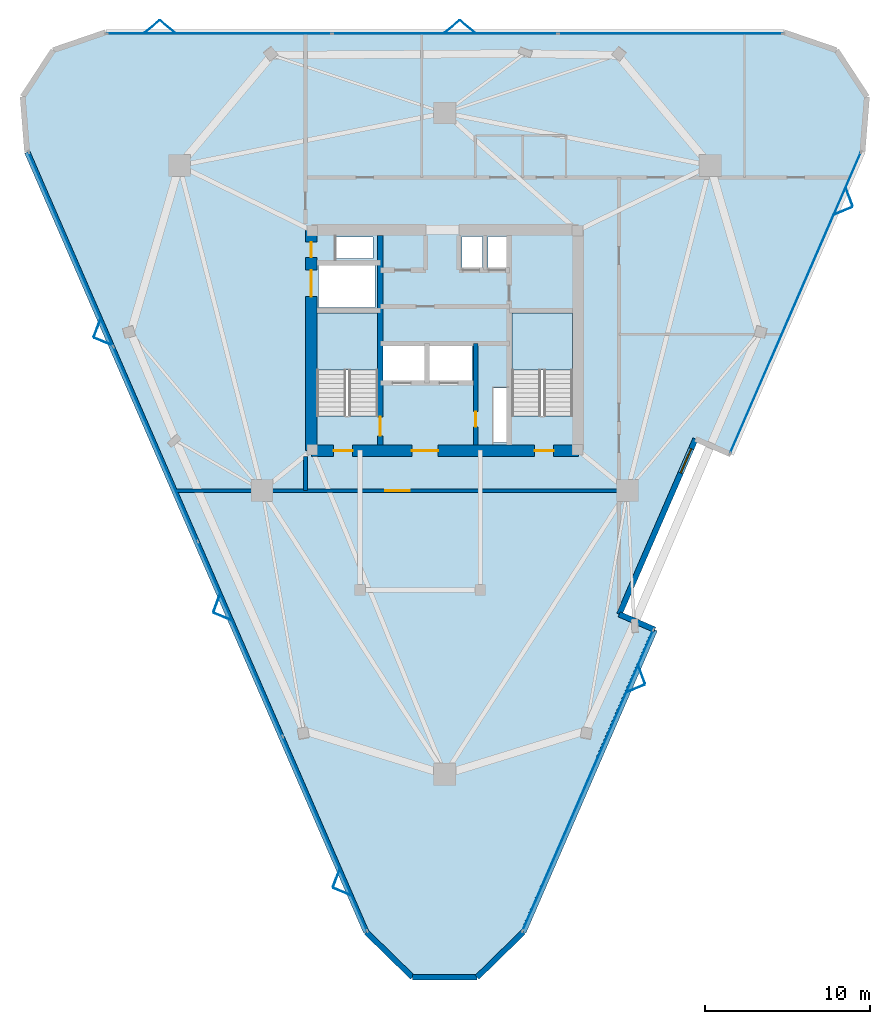
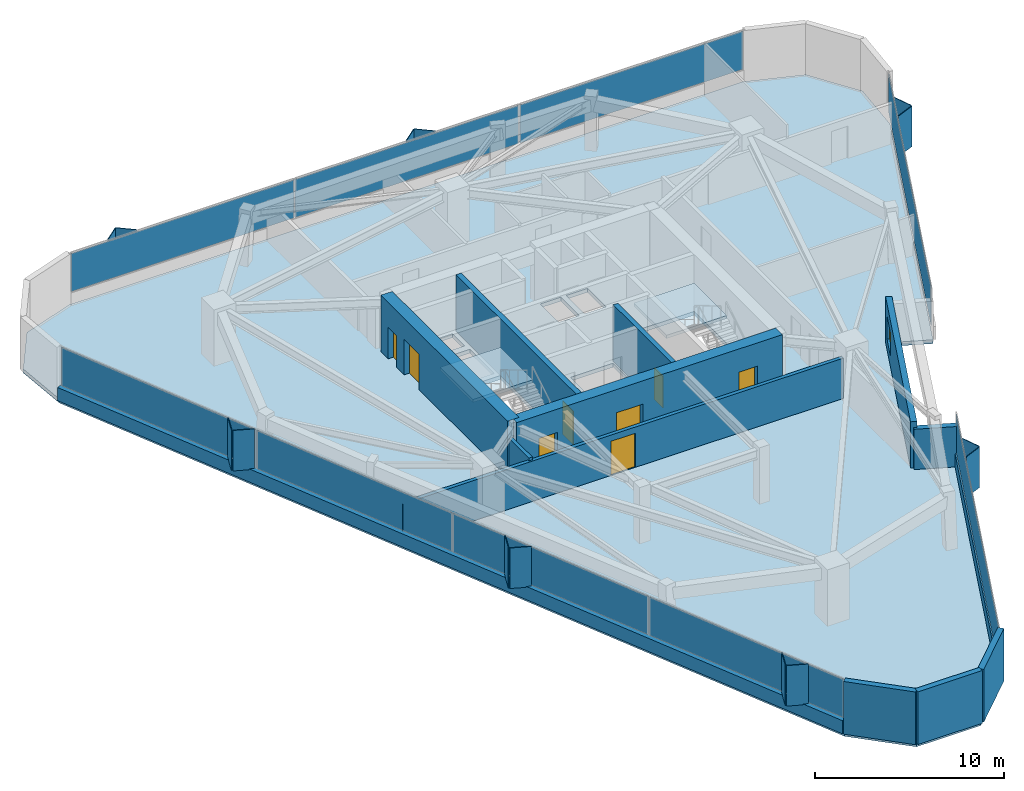
# One storey, part 6 of 9: 23 plates, 13 walls, 8 doors, 3 slabs, 1 window, 9 openings, 6 elements without a shape of their own.
"""IFC4 building model written with IfcOpenShell, lengths in metres."""

from ifc_helpers import new_model, si_unit, direction, frame, frame_2d, origin, origin_2d, place, context, subcontext, project, spatial, polyline, rectangle, outline, extrude, material, layer, layer_set, type_object, element, fill, aggregate, save


model = new_model("IFC4")

# Units and contexts
model_context = context("Model", 3, precision=1e-05, world=origin(), true_north=direction((0.0, 1.0)))
body_context = subcontext(model_context, "Body", "Model", "MODEL_VIEW")
ifc_project = project(units=[si_unit("LENGTHUNIT", "METRE"), si_unit("AREAUNIT", "SQUARE_METRE"), si_unit("VOLUMEUNIT", "CUBIC_METRE"), si_unit("PLANEANGLEUNIT", "RADIAN"), si_unit("MASSUNIT", "GRAM", prefix="KILO")], contexts=[model_context])

# Site, building, storey
site_placement = place(None, origin())
site = spatial("IfcSite", under=ifc_project, at=site_placement, CompositionType="ELEMENT")
building_placement = place(site_placement, origin())
building = spatial("IfcBuilding", under=site, at=building_placement, Name="Talyreon Biosciences Tower", CompositionType="ELEMENT")
storey_placement = place(building_placement, frame((0.0, 0.0, 208.60009765625)))
storey = spatial("IfcBuildingStorey", under=building, at=storey_placement, Name="L55", CompositionType="ELEMENT", Elevation=208.60009765625)

# Curtain wall, plates
ifc_material_1 = material(Name="Thermally broken aluminium and low-E glazing", Category="aluminium")
ifc_layer_1 = layer(ifc_material_1, 0.205078125)
ifc_layer_set_1 = layer_set([ifc_layer_1], Name="Thermally broken aluminium and low-E glazing")
curtain_wall_type = type_object("IfcCurtainWallType", Name="CurtainWall_SkyGardenLoggia", PredefinedType="NOTDEFINED", material=ifc_layer_set_1)
curtain_wall_1_placement = place(storey_placement, origin())
curtain_wall_1 = element("IfcCurtainWall", 1, at=curtain_wall_1_placement, inside=storey, type_object=curtain_wall_type, Name="L55 Unitised Curtain Wall FCW-L55-03", PredefinedType="NOTDEFINED")
ifc_material_2 = material(Name="Acoustic laminated low-E insulated glazing", Category="glass")
ifc_layer_2 = layer(ifc_material_2, 0.0380859375)
ifc_layer_set_2 = layer_set([ifc_layer_2], Name="Acoustic laminated low-E insulated glazing")
plate_type_1 = type_object("IfcPlateType", Name="CWGlazingPanel_38", PredefinedType="CURTAIN_PANEL", material=ifc_layer_set_2)
plate_1_placement = place(storey_placement, frame((52.30859375, 86.605224609375, 0.875), z_axis=(0.0, 0.0, 1.0), x_axis=(1.0, 0.0, 0.0)))
plate_1 = element("IfcPlate", 2, at=plate_1_placement, type_object=plate_type_1, Name="CW7 panel 1.1", PredefinedType="CURTAIN_PANEL", context=body_context, shape_type="SweptSolid", body=[
    extrude(rectangle(XDim=13.59765625, YDim=0.0380859375, at=origin_2d()), origin(), (0.0, 0.0, 1.0), 2.4599609375),
])
plate_2_placement = place(storey_placement, frame((66.0, 86.605224609375, 0.875), z_axis=(0.0, 0.0, 1.0), x_axis=(1.0, 0.0, 0.0)))
plate_2 = element("IfcPlate", 3, at=plate_2_placement, type_object=plate_type_1, Name="CW7 panel 2.1", PredefinedType="CURTAIN_PANEL", context=body_context, shape_type="SweptSolid", body=[
    extrude(rectangle(XDim=13.63525390625, YDim=0.0380859375, at=origin_2d()), origin(), (0.0, 0.0, 1.0), 2.4599609375),
])
plate_3_placement = place(storey_placement, frame((79.69140625, 86.605224609375, 0.875), z_axis=(0.0, 0.0, 1.0), x_axis=(1.0, 0.0, 0.0)))
plate_3 = element("IfcPlate", 4, at=plate_3_placement, type_object=plate_type_1, Name="CW7 panel 3.1", PredefinedType="CURTAIN_PANEL", context=body_context, shape_type="SweptSolid", body=[
    extrude(rectangle(XDim=13.59765625, YDim=0.0380859375, at=origin_2d()), origin(), (0.0, 0.0, 1.0), 2.4599609375),
])
aggregate(curtain_wall_1, [plate_1, plate_2, plate_3])

# Curtain wall, plate
curtain_wall_2_placement = place(storey_placement, origin())
curtain_wall_2 = element("IfcCurtainWall", 5, at=curtain_wall_2_placement, inside=storey, type_object=curtain_wall_type, Name="L55 Unitised Curtain Wall FCW-L55-07", PredefinedType="NOTDEFINED")
plate_4_placement = place(storey_placement, frame((87.275634765625, 70.275390625, 0.875), z_axis=(0.0, 0.0, 1.0), x_axis=(-0.398627540924, -0.91711290669, 0.0)))
plate_4 = element("IfcPlate", 6, at=plate_4_placement, type_object=plate_type_1, Name="CW7 panel 1.1", PredefinedType="CURTAIN_PANEL", context=body_context, shape_type="SweptSolid", body=[
    extrude(rectangle(XDim=19.845458984375, YDim=0.0380859375, at=origin_2d()), origin(), (0.0, 0.0, 1.0), 2.4599609375),
])
aggregate(curtain_wall_2, [plate_4])

curtain_wall_3_placement = place(storey_placement, origin())
curtain_wall_3 = element("IfcCurtainWall", 7, at=curtain_wall_3_placement, inside=storey, type_object=curtain_wall_type, Name="L55 Unitised Curtain Wall FCW-L55-11", PredefinedType="NOTDEFINED")
plate_5_placement = place(storey_placement, frame((74.680908203125, 41.298828125, 0.875), z_axis=(0.0, 0.0, 1.0), x_axis=(-0.3986251628, -0.917113940349, 0.0)))
plate_5 = element("IfcPlate", 8, at=plate_5_placement, type_object=plate_type_1, Name="CW7 panel 1.1", PredefinedType="CURTAIN_PANEL", context=body_context, shape_type="SweptSolid", body=[
    extrude(rectangle(XDim=19.84521484375, YDim=0.0380859375, at=origin_2d()), origin(), (0.0, 0.0, 1.0), 2.4599609375),
])
aggregate(curtain_wall_3, [plate_5])

# Curtain wall, plates
curtain_wall_4_placement = place(storey_placement, origin())
curtain_wall_4 = element("IfcCurtainWall", 9, at=curtain_wall_4_placement, inside=storey, type_object=curtain_wall_type, Name="L55 Unitised Curtain Wall FCW-L55-15", PredefinedType="NOTDEFINED")
plate_6_placement = place(storey_placement, frame((58.726318359375, 38.061279296875, 0.875), z_axis=(0.0, 0.0, 1.0), x_axis=(-0.398626314079, 0.917113439943, 0.0)))
plate_6 = element("IfcPlate", 10, at=plate_6_placement, type_object=plate_type_1, Name="CW7 panel 1.1", PredefinedType="CURTAIN_PANEL", context=body_context, shape_type="SweptSolid", body=[
    extrude(rectangle(XDim=12.78515625, YDim=0.0380859375, at=origin_2d()), origin(), (0.0, 0.0, 1.0), 2.4599609375),
])
plate_7_placement = place(storey_placement, frame((53.59228515625, 49.872802734375, 0.875), z_axis=(0.0, 0.0, 1.0), x_axis=(-0.398626314079, 0.917113439943, 0.0)))
plate_7 = element("IfcPlate", 11, at=plate_7_placement, type_object=plate_type_1, Name="CW7 panel 2.1", PredefinedType="CURTAIN_PANEL", context=body_context, shape_type="SweptSolid", body=[
    extrude(rectangle(XDim=12.82275390625, YDim=0.0380859375, at=origin_2d()), origin(), (0.0, 0.0, 1.0), 2.4599609375),
])
plate_8_placement = place(storey_placement, frame((48.450927734375, 61.701416015625, 0.875), z_axis=(0.0, 0.0, 1.0), x_axis=(-0.398626314079, 0.917113439943, 0.0)))
plate_8 = element("IfcPlate", 12, at=plate_8_placement, type_object=plate_type_1, Name="CW7 panel 3.1", PredefinedType="CURTAIN_PANEL", context=body_context, shape_type="SweptSolid", body=[
    extrude(rectangle(XDim=12.82275390625, YDim=0.0380859375, at=origin_2d()), origin(), (0.0, 0.0, 1.0), 2.4599609375),
])
plate_9_placement = place(storey_placement, frame((43.317138671875, 73.5126953125, 0.875), z_axis=(0.0, 0.0, 1.0), x_axis=(-0.398626314079, 0.917113439943, 0.0)))
plate_9 = element("IfcPlate", 13, at=plate_9_placement, type_object=plate_type_1, Name="CW7 panel 4.1", PredefinedType="CURTAIN_PANEL", context=body_context, shape_type="SweptSolid", body=[
    extrude(rectangle(XDim=12.78515625, YDim=0.0380859375, at=origin_2d()), origin(), (0.0, 0.0, 1.0), 2.4599609375),
])
aggregate(curtain_wall_4, [plate_6, plate_7, plate_8, plate_9])

# Slab
ifc_material_3 = material(Name="Concrete C40/50", Category="concrete")
ifc_layer_3 = layer(ifc_material_3, 0.25)
ifc_layer_set_3 = layer_set([ifc_layer_3], Name="Concrete C40/50")
slab_type_1 = type_object("IfcSlabType", Name="DryLabFloorSlab_250", PredefinedType="FLOOR", material=ifc_layer_set_3)
slab_1_placement = place(storey_placement, frame((0.0, 0.0, -0.25)))
element("IfcSlab", 14, at=slab_1_placement, inside=storey, type_object=slab_type_1, Name="L55 Structural Floor Slab", PredefinedType="FLOOR", context=body_context, shape_type="SweptSolid", body=[
    extrude(outline(polyline([(40.66552734375, 79.412353515625), (40.396484375, 82.77294921875), (42.245361328125, 85.59228515625), (45.4345703125, 86.685302734375), (86.5654296875, 86.685302734375), (89.754638671875, 85.59228515625), (91.603515625, 82.77294921875), (91.33447265625, 79.412353515625), (83.36376953125, 61.074462890625), (81.20849609375, 62.010986328125), (76.58447265625, 51.37255859375), (78.739501953125, 50.435791015625), (70.76904296875, 32.097900390625), (67.962158203125, 29.355224609375), (64.037841796875, 29.355224609375), (61.23095703125, 32.097900390625), (40.66552734375, 79.412353515625)]), holes=[polyline([(69.820068359375, 65.10009765625), (69.820068359375, 61.800048828125), (68.9599609375, 61.800048828125), (68.9599609375, 65.10009765625), (69.820068359375, 65.10009765625)]), polyline([(61.929931640625, 69.64990234375), (61.929931640625, 63.407958984375), (58.25, 63.407958984375), (58.25, 69.64990234375), (61.929931640625, 69.64990234375)]), polyline([(73.75, 69.64990234375), (73.75, 63.407958984375), (70.070068359375, 63.407958984375), (70.070068359375, 69.64990234375), (73.75, 69.64990234375)]), polyline([(64.800048828125, 67.64990234375), (64.800048828125, 65.550048828125), (62.199951171875, 65.550048828125), (62.199951171875, 67.64990234375), (64.800048828125, 67.64990234375)]), polyline([(67.64990234375, 67.64990234375), (67.64990234375, 65.550048828125), (65.050048828125, 65.550048828125), (65.050048828125, 67.64990234375), (67.64990234375, 67.64990234375)]), polyline([(61.75, 72.550048828125), (61.75, 69.97998046875), (58.35009765625, 69.97998046875), (58.35009765625, 72.550048828125), (61.75, 72.550048828125)]), polyline([(68.300048828125, 74.300048828125), (68.300048828125, 72.35009765625), (67.050048828125, 72.35009765625), (67.050048828125, 74.300048828125), (68.300048828125, 74.300048828125)]), polyline([(69.919921875, 72.35009765625), (68.6201171875, 72.35009765625), (68.6201171875, 74.300048828125), (69.919921875, 74.300048828125), (69.919921875, 72.35009765625)]), polyline([(61.64990234375, 72.9599609375), (59.39990234375, 72.9599609375), (59.39990234375, 74.25), (61.64990234375, 74.25), (61.64990234375, 72.9599609375)])]), origin(), (0.0, 0.0, 1.0), 0.25),
])

# Plates
ifc_material_4 = material(Name="Ivory GFRC sunshade panel", Category="concrete")
ifc_layer_4 = layer(ifc_material_4, 0.044921875)
ifc_layer_set_4 = layer_set([ifc_layer_4], Name="Ivory GFRC sunshade panel")
plate_type_2 = type_object("IfcPlateType", Name="FoldedVSunshade_NorthFace_SUNSHADE", PredefinedType="USERDEFINED", material=ifc_layer_set_4)
for number, where, z_axis, x_axis, name in (
    (15, (48.254638671875, 87.045166015625, 0.7900390625), (0.0, 0.0, 1.0), (0.771624583388, 0.636078220278, 0.0), "L55 Folded V-Sunshade Panel 03.01L"),
    (16, (49.154541015625, 87.045166015625, 0.7900390625), (0.0, 0.0, 1.0), (0.771624583388, -0.636078220278, 0.0), "L55 Folded V-Sunshade Panel 03.01R"),
    (17, (66.45458984375, 87.045166015625, 0.7900390625), (0.0, 0.0, 1.0), (0.771624583388, 0.636078220278, 0.0), "L55 Folded V-Sunshade Panel 03.02L"),
    (18, (67.3544921875, 87.045166015625, 0.7900390625), (0.0, 0.0, 1.0), (0.771624583388, -0.636078220278, 0.0), "L55 Folded V-Sunshade Panel 03.02R"),
):
    element("IfcPlate", number, at=place(storey_placement, frame(where, z_axis=z_axis, x_axis=x_axis)), inside=storey, type_object=plate_type_2, Name=name, ObjectType="SUNSHADE", PredefinedType="USERDEFINED", context=body_context, shape_type="SweptSolid", body=[
        extrude(rectangle(XDim=1.14990234375, YDim=0.044921875, at=origin_2d()), origin(), (0.0, 0.0, 1.0), 2.610107421875),
    ])
ifc_layer_5 = layer(ifc_material_4, 0.044921875)
ifc_layer_set_5 = layer_set([ifc_layer_5], Name="Ivory GFRC sunshade panel")
plate_type_3 = type_object("IfcPlateType", Name="FoldedVSunshade_SunFace_SUNSHADE", PredefinedType="USERDEFINED", material=ifc_layer_set_5)
for number, where, z_axis, x_axis, name in (
    (19, (90.540283203125, 76.6826171875, 0.7900390625), (0.0, 0.0, 1.0), (0.350338161955, -0.936623281943, 0.0), "L55 Folded V-Sunshade Panel 07.01L"),
    (20, (90.181640625, 75.857177734375, 0.7900390625), (0.0, 0.0, 1.0), (-0.923826090819, -0.382812426552, 0.0), "L55 Folded V-Sunshade Panel 07.01R"),
    (21, (77.945556640625, 47.7060546875, 0.7900390625), (0.0, 0.0, 1.0), (0.350338161955, -0.936623281943, 0.0), "L55 Folded V-Sunshade Panel 11.01L"),
    (22, (77.5869140625, 46.880615234375, 0.7900390625), (0.0, 0.0, 1.0), (-0.923826090819, -0.382812426552, 0.0), "L55 Folded V-Sunshade Panel 11.01R"),
    (23, (59.776611328125, 34.540771484375, 0.7900390625), (0.0, 0.0, 1.0), (-0.923826090819, 0.382812426552, 0.0), "L55 Folded V-Sunshade Panel 15.01L"),
    (24, (59.41796875, 35.3662109375, 0.7900390625), (0.0, 0.0, 1.0), (0.350338161955, 0.936623281943, 0.0), "L55 Folded V-Sunshade Panel 15.01R"),
    (25, (52.521728515625, 51.232177734375, 0.7900390625), (0.0, 0.0, 1.0), (-0.923826090819, 0.382812426552, 0.0), "L55 Folded V-Sunshade Panel 15.02L"),
    (26, (52.1630859375, 52.0576171875, 0.7900390625), (0.0, 0.0, 1.0), (0.350338161955, 0.936623281943, 0.0), "L55 Folded V-Sunshade Panel 15.02R"),
    (27, (45.2666015625, 67.923583984375, 0.7900390625), (0.0, 0.0, 1.0), (-0.923826090819, 0.382812426552, 0.0), "L55 Folded V-Sunshade Panel 15.03L"),
    (28, (44.907958984375, 68.7490234375, 0.7900390625), (0.0, 0.0, 1.0), (0.350338161955, 0.936623281943, 0.0), "L55 Folded V-Sunshade Panel 15.03R"),
):
    element("IfcPlate", number, at=place(storey_placement, frame(where, z_axis=z_axis, x_axis=x_axis)), inside=storey, type_object=plate_type_3, Name=name, ObjectType="SUNSHADE", PredefinedType="USERDEFINED", context=body_context, shape_type="SweptSolid", body=[
        extrude(rectangle(XDim=1.14990234375, YDim=0.044921875, at=origin_2d()), origin(), (0.0, 0.0, 1.0), 2.610107421875),
    ])

# Stair, slab
stair_type = type_object("IfcStairType", Name="DoglegEscapeStair_3650", PredefinedType="HALF_TURN_STAIR", material=ifc_material_3)
stair_1_placement = place(storey_placement, origin())
stair_1 = element("IfcStair", 29, at=stair_1_placement, inside=storey, type_object=stair_type, Name="L55 Core Escape Stair 1", PredefinedType="HALF_TURN_STAIR")
ifc_layer_6 = layer(ifc_material_3, 0.199951171875)
ifc_layer_set_6 = layer_set([ifc_layer_6], Name="Concrete C40/50")
slab_type_2 = type_object("IfcSlabType", Name="StairLandingSlab_200", PredefinedType="LANDING", material=ifc_layer_set_6)
slab_2_placement = place(storey_placement, frame((0.0, 0.0, 1.625)))
slab_2 = element("IfcSlab", 30, at=slab_2_placement, type_object=slab_type_2, Name="ST-1 landing 1", PredefinedType="LANDING", context=body_context, shape_type="SweptSolid", body=[
    extrude(outline(polyline([(61.929931640625, 66.199951171875), (61.929931640625, 69.64990234375), (58.25, 69.64990234375), (58.25, 66.199951171875), (61.929931640625, 66.199951171875)])), origin(), (0.0, 0.0, 1.0), 0.199951171875),
])
aggregate(stair_1, [slab_2])

stair_2_placement = place(storey_placement, origin())
stair_2 = element("IfcStair", 31, at=stair_2_placement, inside=storey, type_object=stair_type, Name="L55 Core Escape Stair 2", PredefinedType="HALF_TURN_STAIR")
slab_3_placement = place(storey_placement, frame((0.0, 0.0, 1.625)))
slab_3 = element("IfcSlab", 32, at=slab_3_placement, type_object=slab_type_2, Name="ST-2 landing 1", PredefinedType="LANDING", context=body_context, shape_type="SweptSolid", body=[
    extrude(outline(polyline([(73.75, 66.199951171875), (73.75, 69.64990234375), (70.070068359375, 69.64990234375), (70.070068359375, 66.199951171875), (73.75, 66.199951171875)])), origin(), (0.0, 0.0, 1.0), 0.199951171875),
])
aggregate(stair_2, [slab_3])

# Wall, opening, door
ifc_material_5 = material(Name="Concrete C50/60", Category="concrete")
ifc_layer_7 = layer(ifc_material_5, 0.280029296875)
ifc_layer_set_7 = layer_set([ifc_layer_7], Name="Concrete C50/60")
wall_type_1 = type_object("IfcWallType", Name="CoreShearWall_280", PredefinedType="SHEAR", material=ifc_layer_set_7)
wall_1_placement = place(storey_placement, frame((67.8798828125, 61.64990234375, 0.0), z_axis=(0.0, 0.0, 1.0), x_axis=(0.0, 1.0, 0.0)))
wall_1 = element("IfcWall", 33, at=wall_1_placement, inside=storey, type_object=wall_type_1, Name="L55 Core Shaft Wall SWFFE", PredefinedType="SHEAR", context=body_context, shape_type="SweptSolid", body=[
    extrude(rectangle(XDim=6.150146484375, YDim=0.280029296875, at=frame_2d((3.0751953125, 0.0))), origin(), (0.0, 0.0, 1.0), 3.64990234375),
])
opening_1_placement = place(wall_1_placement, frame((1.10009765625, 0.0, 0.0)))
opening_1 = element("IfcOpeningElement", 34, at=opening_1_placement, cuts=wall_1, Name="Opening DR-L55-RSE", PredefinedType="OPENING", context=body_context, shape_type="SweptSolid", body=[
    extrude(rectangle(XDim=0.919921875, YDim=2.050048828125, at=frame_2d((0.4599609375, 1.02490234375))), frame((0.0, 0.14990234375, 0.0), z_axis=(0.0, -1.0, 0.0), x_axis=(1.0, 0.0, 0.0)), (0.0, 0.0, 1.0), 0.300048828125),
])
ifc_material_6 = material(Name="Painted steel fire-rated riser door", Category="steel")
door_type_1 = type_object("IfcDoorType", Name="RiserPlantAccessDoor_920x2050", OperationType="NOTDEFINED", PredefinedType="DOOR", material=ifc_material_6)
door_1_placement = place(opening_1_placement, origin())
door_1 = element("IfcDoor", 35, at=door_1_placement, inside=storey, type_object=door_type_1, Name="L55 Core Door DR-L55-RSE", OperationType="SINGLE_SWING_RIGHT", OverallHeight=2.050048828125, OverallWidth=0.919921875, PredefinedType="DOOR", context=body_context, shape_type="SweptSolid", body=[
    extrude(rectangle(XDim=0.919921875, YDim=2.050048828125, at=frame_2d((0.4599609375, 1.02490234375))), frame((0.0, 0.02490234375, 0.0), z_axis=(0.0, -1.0, 0.0), x_axis=(1.0, 0.0, 0.0)), (0.0, 0.0, 1.0), 0.050048828125),
])
fill(opening_1, door_1)

ifc_layer_8 = layer(ifc_material_5, 0.320068359375)
ifc_layer_set_8 = layer_set([ifc_layer_8], Name="Concrete C50/60")
wall_type_2 = type_object("IfcWallType", Name="CoreShearWall_320", PredefinedType="SHEAR", material=ifc_layer_set_8)
wall_2_placement = place(storey_placement, frame((62.090087890625, 61.64990234375, 0.0), z_axis=(0.0, 0.0, 1.0), x_axis=(0.0, 1.0, 0.0)))
wall_2 = element("IfcWall", 36, at=wall_2_placement, inside=storey, type_object=wall_type_2, Name="L55 Core Shaft Wall SW1E", PredefinedType="SHEAR", context=body_context, shape_type="SweptSolid", body=[
    extrude(rectangle(XDim=12.7001953125, YDim=0.320068359375, at=frame_2d((6.35009765625, 0.0))), origin(), (0.0, 0.0, 1.0), 3.64990234375),
])
opening_2_placement = place(wall_2_placement, frame((0.550048828125, 0.0, 0.0)))
opening_2 = element("IfcOpeningElement", 37, at=opening_2_placement, cuts=wall_2, Name="Opening DR-L55-FF-ST1", PredefinedType="OPENING", context=body_context, shape_type="SweptSolid", body=[
    extrude(rectangle(XDim=1.14990234375, YDim=2.14990234375, at=frame_2d((0.574951171875, 1.074951171875))), frame((0.0, 0.169921875, 0.0), z_axis=(0.0, -1.0, 0.0), x_axis=(1.0, 0.0, 0.0)), (0.0, 0.0, 1.0), 0.340087890625),
])
ifc_material_7 = material(Name="Painted steel fire door", Category="steel")
door_type_2 = type_object("IfcDoorType", Name="StairShaftFireDoor_1150x2150", OperationType="NOTDEFINED", PredefinedType="DOOR", material=ifc_material_7)
door_2_placement = place(opening_2_placement, origin())
door_2 = element("IfcDoor", 38, at=door_2_placement, inside=storey, type_object=door_type_2, Name="L55 Core Door DR-L55-FF-ST1", OperationType="SINGLE_SWING_LEFT", OverallHeight=2.14990234375, OverallWidth=1.14990234375, PredefinedType="DOOR", context=body_context, shape_type="SweptSolid", body=[
    extrude(rectangle(XDim=1.14990234375, YDim=2.14990234375, at=frame_2d((0.574951171875, 1.074951171875))), frame((0.0, 0.02490234375, 0.0), z_axis=(0.0, -1.0, 0.0), x_axis=(1.0, 0.0, 0.0)), (0.0, 0.0, 1.0), 0.050048828125),
])
fill(opening_2, door_2)

# Wall, openings, doors
ifc_layer_9 = layer(ifc_material_5, 0.699951171875)
ifc_layer_set_9 = layer_set([ifc_layer_9], Name="Concrete C50/60")
wall_type_3 = type_object("IfcWallType", Name="CoreShearWall_700", PredefinedType="SHEAR", material=ifc_layer_set_9)
wall_3_placement = place(storey_placement, frame((57.89990234375, 61.300048828125, 0.0), z_axis=(0.0, 0.0, 1.0), x_axis=(1.0, 0.0, 0.0)))
wall_3 = element("IfcWall", 39, at=wall_3_placement, inside=storey, type_object=wall_type_3, Name="L55 Core Shear Wall S", PredefinedType="SHEAR", context=body_context, shape_type="SweptSolid", body=[
    extrude(rectangle(XDim=16.2001953125, YDim=0.699951171875, at=frame_2d((8.10009765625, 0.0))), origin(), (0.0, 0.0, 1.0), 3.64990234375),
])
opening_3_placement = place(wall_3_placement, frame((1.35009765625, 0.0, 0.0)))
opening_3 = element("IfcOpeningElement", 40, at=opening_3_placement, cuts=wall_3, Name="Opening DR-L55-ST1", PredefinedType="OPENING", context=body_context, shape_type="SweptSolid", body=[
    extrude(rectangle(XDim=1.14990234375, YDim=2.14990234375, at=frame_2d((0.574951171875, 1.074951171875))), frame((0.0, 0.35986328125, 0.0), z_axis=(0.0, -1.0, 0.0), x_axis=(1.0, 0.0, 0.0)), (0.0, 0.0, 1.0), 0.719970703125),
])
opening_4_placement = place(wall_3_placement, frame((6.10009765625, 0.0, 0.0)))
opening_4 = element("IfcOpeningElement", 41, at=opening_4_placement, cuts=wall_3, Name="Opening DR-L55-FFL", PredefinedType="OPENING", context=body_context, shape_type="SweptSolid", body=[
    extrude(rectangle(XDim=1.60009765625, YDim=2.14990234375, at=frame_2d((0.800048828125, 1.074951171875))), frame((0.0, 0.35986328125, 0.0), z_axis=(0.0, -1.0, 0.0), x_axis=(1.0, 0.0, 0.0)), (0.0, 0.0, 1.0), 0.719970703125),
])
opening_5_placement = place(wall_3_placement, frame((13.550048828125, 0.0, 0.0)))
opening_5 = element("IfcOpeningElement", 42, at=opening_5_placement, cuts=wall_3, Name="Opening DR-L55-ST2", PredefinedType="OPENING", context=body_context, shape_type="SweptSolid", body=[
    extrude(rectangle(XDim=1.14990234375, YDim=2.14990234375, at=frame_2d((0.574951171875, 1.074951171875))), frame((0.0, 0.35986328125, 0.0), z_axis=(0.0, -1.0, 0.0), x_axis=(1.0, 0.0, 0.0)), (0.0, 0.0, 1.0), 0.719970703125),
])
ifc_material_8 = material(Name="Painted steel smoke-seal fire door", Category="steel")
door_type_3 = type_object("IfcDoorType", Name="FirefightingLobbyDoubleDoor_1600x2150", OperationType="DOUBLE_DOOR_SINGLE_SWING", PredefinedType="DOOR", material=ifc_material_8)
door_3_placement = place(opening_4_placement, origin())
door_3 = element("IfcDoor", 43, at=door_3_placement, inside=storey, type_object=door_type_3, Name="L55 Core Door DR-L55-FFL", OperationType="DOUBLE_DOOR_SINGLE_SWING", OverallHeight=2.14990234375, OverallWidth=1.60009765625, PredefinedType="DOOR", context=body_context, shape_type="SweptSolid", body=[
    extrude(rectangle(XDim=1.60009765625, YDim=2.14990234375, at=frame_2d((0.800048828125, 1.074951171875))), frame((0.0, 0.02490234375, 0.0), z_axis=(0.0, -1.0, 0.0), x_axis=(1.0, 0.0, 0.0)), (0.0, 0.0, 1.0), 0.050048828125),
])
fill(opening_4, door_3)
door_4_placement = place(opening_3_placement, origin())
door_4 = element("IfcDoor", 44, at=door_4_placement, inside=storey, type_object=door_type_2, Name="L55 Core Door DR-L55-ST1", OperationType="SINGLE_SWING_LEFT", OverallHeight=2.14990234375, OverallWidth=1.14990234375, PredefinedType="DOOR", context=body_context, shape_type="SweptSolid", body=[
    extrude(rectangle(XDim=1.14990234375, YDim=2.14990234375, at=frame_2d((0.574951171875, 1.074951171875))), frame((0.0, 0.02490234375, 0.0), z_axis=(0.0, -1.0, 0.0), x_axis=(1.0, 0.0, 0.0)), (0.0, 0.0, 1.0), 0.050048828125),
])
fill(opening_3, door_4)
door_5_placement = place(opening_5_placement, origin())
door_5 = element("IfcDoor", 45, at=door_5_placement, inside=storey, type_object=door_type_2, Name="L55 Core Door DR-L55-ST2", OperationType="SINGLE_SWING_RIGHT", OverallHeight=2.14990234375, OverallWidth=1.14990234375, PredefinedType="DOOR", context=body_context, shape_type="SweptSolid", body=[
    extrude(rectangle(XDim=1.14990234375, YDim=2.14990234375, at=frame_2d((0.574951171875, 1.074951171875))), frame((0.0, 0.02490234375, 0.0), z_axis=(0.0, -1.0, 0.0), x_axis=(1.0, 0.0, 0.0)), (0.0, 0.0, 1.0), 0.050048828125),
])
fill(opening_5, door_5)

wall_4_placement = place(storey_placement, frame((57.89990234375, 74.699951171875, 0.0), z_axis=(0.0, 0.0, 1.0), x_axis=(0.0, -1.0, 0.0)))
wall_4 = element("IfcWall", 46, at=wall_4_placement, inside=storey, type_object=wall_type_3, Name="L55 Core Shear Wall W", PredefinedType="SHEAR", context=body_context, shape_type="SweptSolid", body=[
    extrude(rectangle(XDim=13.39990234375, YDim=0.699951171875, at=frame_2d((6.699951171875, 0.0))), origin(), (0.0, 0.0, 1.0), 3.64990234375),
])
opening_6_placement = place(wall_4_placement, frame((0.75, 0.0, 0.0)))
opening_6 = element("IfcOpeningElement", 47, at=opening_6_placement, cuts=wall_4, Name="Opening DR-L55-RSW", PredefinedType="OPENING", context=body_context, shape_type="SweptSolid", body=[
    extrude(rectangle(XDim=0.919921875, YDim=2.050048828125, at=frame_2d((0.4599609375, 1.02490234375))), frame((0.0, 0.35986328125, 0.0), z_axis=(0.0, -1.0, 0.0), x_axis=(1.0, 0.0, 0.0)), (0.0, 0.0, 1.0), 0.719970703125),
])
opening_7_placement = place(wall_4_placement, frame((2.449951171875, 0.0, 0.0)))
opening_7 = element("IfcOpeningElement", 48, at=opening_7_placement, cuts=wall_4, Name="Opening LD-L55-GL1", PredefinedType="OPENING", context=body_context, shape_type="SweptSolid", body=[
    extrude(rectangle(XDim=1.60009765625, YDim=2.300048828125, at=frame_2d((0.800048828125, 1.14990234375))), frame((0.0, 0.35986328125, 0.0), z_axis=(0.0, -1.0, 0.0), x_axis=(1.0, 0.0, 0.0)), (0.0, 0.0, 1.0), 0.719970703125),
])
ifc_material_9 = material(Name="Heavy-duty stainless-steel goods lift door", Category="steel")
door_type_4 = type_object("IfcDoorType", Name="GoodsLiftSlidingDoor_1600x2300", OperationType="DOUBLE_DOOR_SLIDING", PredefinedType="DOOR", material=ifc_material_9)
door_6_placement = place(opening_7_placement, origin())
door_6 = element("IfcDoor", 49, at=door_6_placement, inside=storey, type_object=door_type_4, Name="L55 Core Door LD-L55-GL1", OperationType="DOUBLE_DOOR_SLIDING", OverallHeight=2.300048828125, OverallWidth=1.60009765625, PredefinedType="DOOR", context=body_context, shape_type="SweptSolid", body=[
    extrude(rectangle(XDim=1.60009765625, YDim=2.300048828125, at=frame_2d((0.800048828125, 1.14990234375))), frame((0.0, 0.02490234375, 0.0), z_axis=(0.0, -1.0, 0.0), x_axis=(1.0, 0.0, 0.0)), (0.0, 0.0, 1.0), 0.050048828125),
])
fill(opening_7, door_6)
door_7_placement = place(opening_6_placement, origin())
door_7 = element("IfcDoor", 50, at=door_7_placement, inside=storey, type_object=door_type_1, Name="L55 Core Door DR-L55-RSW", OperationType="SINGLE_SWING_LEFT", OverallHeight=2.050048828125, OverallWidth=0.919921875, PredefinedType="DOOR", context=body_context, shape_type="SweptSolid", body=[
    extrude(rectangle(XDim=0.919921875, YDim=2.050048828125, at=frame_2d((0.4599609375, 1.02490234375))), frame((0.0, 0.02490234375, 0.0), z_axis=(0.0, -1.0, 0.0), x_axis=(1.0, 0.0, 0.0)), (0.0, 0.0, 1.0), 0.050048828125),
])
fill(opening_6, door_7)

# Wall, opening, door
ifc_material_10 = material(Name="Gypsum fireboard acoustic stud", Category="gypsum")
ifc_layer_10 = layer(ifc_material_10, 0.219970703125)
ifc_layer_set_10 = layer_set([ifc_layer_10], Name="Gypsum fireboard acoustic stud")
wall_type_4 = type_object("IfcWallType", Name="CorridorRatedPartition_220", PredefinedType="PARTITIONING", material=ifc_layer_set_10)
wall_5_placement = place(storey_placement, frame((49.68701171875, 58.8701171875, 0.0), z_axis=(0.0, 0.0, 1.0), x_axis=(1.0, 0.0, 0.0)))
wall_5 = element("IfcWall", 51, at=wall_5_placement, inside=storey, type_object=wall_type_4, Name="L55 Interior Wall IW-L55-COR-S", PredefinedType="PARTITIONING", context=body_context, shape_type="SweptSolid", body=[
    extrude(rectangle(XDim=26.883056640625, YDim=0.219970703125, at=frame_2d((13.44140625, 0.0))), origin(), (0.0, 0.0, 1.0), 2.599853515625),
])
opening_8_placement = place(wall_5_placement, frame((12.69091796875, 0.0, 0.0)))
opening_8 = element("IfcOpeningElement", 52, at=opening_8_placement, cuts=wall_5, Name="Opening DR-L55-S1A", PredefinedType="OPENING", context=body_context, shape_type="SweptSolid", body=[
    extrude(rectangle(XDim=1.5, YDim=2.199951171875, at=frame_2d((0.75, 1.10009765625))), frame((0.0, 0.119873046875, 0.0), z_axis=(0.0, -1.0, 0.0), x_axis=(1.0, 0.0, 0.0)), (0.0, 0.0, 1.0), 0.239990234375),
])
ifc_material_11 = material(Name="Vision-panel steel laboratory fire door", Category="steel")
door_type_5 = type_object("IfcDoorType", Name="WetLabDoubleLeafDoor_1500x2200", OperationType="DOUBLE_DOOR_SINGLE_SWING", PredefinedType="DOOR", material=ifc_material_11)
door_8_placement = place(opening_8_placement, origin())
door_8 = element("IfcDoor", 53, at=door_8_placement, inside=storey, type_object=door_type_5, Name="L55 Interior Door DR-L55-S1A", OperationType="DOUBLE_DOOR_SINGLE_SWING", OverallHeight=2.199951171875, OverallWidth=1.5, PredefinedType="DOOR", context=body_context, shape_type="SweptSolid", body=[
    extrude(rectangle(XDim=1.5, YDim=2.199951171875, at=frame_2d((0.75, 1.10009765625))), frame((0.0, 0.02490234375, 0.0), z_axis=(0.0, -1.0, 0.0), x_axis=(1.0, 0.0, 0.0)), (0.0, 0.0, 1.0), 0.050048828125),
])
fill(opening_8, door_8)

# Wall
wall_6_placement = place(storey_placement, frame((57.550048828125, 58.8701171875, 0.0), z_axis=(0.0, 0.0, 1.0), x_axis=(0.0, 1.0, 0.0)))
element("IfcWall", 54, at=wall_6_placement, inside=storey, type_object=wall_type_4, Name="L55 Interior Wall IW-L55-WCAP-S", PredefinedType="PARTITIONING", context=body_context, shape_type="SweptSolid", body=[
    extrude(rectangle(XDim=2.079833984375, YDim=0.219970703125, at=frame_2d((1.0400390625, 0.0))), origin(), (0.0, 0.0, 1.0), 2.77978515625),
])

# Wall, opening, window
ifc_material_12 = material(Name="Precast concrete C45/55", Category="concrete")
ifc_layer_11 = layer(ifc_material_12, 0.340087890625)
ifc_layer_set_11 = layer_set([ifc_layer_11], Name="Precast concrete C45/55")
wall_type_5 = type_object("IfcWallType", Name="PrecastConcreteSpandrelWall_340", PredefinedType="STANDARD", material=ifc_layer_set_11)
wall_7_placement = place(storey_placement, frame((81.20849609375, 62.010986328125, 0.0), z_axis=(0.0, 0.0, 1.0), x_axis=(-0.398626061538, -0.917113549711, 0.0)))
wall_7 = element("IfcWall", 55, at=wall_7_placement, inside=storey, type_object=wall_type_5, Name="L55 Terrace Backing Concrete Wall 09", PredefinedType="STANDARD", context=body_context, shape_type="SweptSolid", body=[
    extrude(rectangle(XDim=11.599853515625, YDim=0.340087890625, at=frame_2d((5.7998046875, 0.0))), origin(), (0.0, 0.0, 1.0), 2.97998046875),
])
opening_9_placement = place(wall_7_placement, frame((0.64990234375, 0.0, 0.699951171875)))
opening_9 = element("IfcOpeningElement", 56, at=opening_9_placement, cuts=wall_7, Name="Opening W06", PredefinedType="OPENING", context=body_context, shape_type="SweptSolid", body=[
    extrude(rectangle(XDim=1.60009765625, YDim=1.5, at=frame_2d((0.800048828125, 0.75))), frame((0.0, 0.179931640625, 0.0), z_axis=(0.0, -1.0, 0.0), x_axis=(1.0, 0.0, 0.0)), (0.0, 0.0, 1.0), 0.360107421875),
])
ifc_material_13 = material(Name="Thermally broken triple low-E aluminium window", Category="aluminium")
window_type = type_object("IfcWindowType", Name="CrownLouvredWindow_1600x1500", PartitioningType="SINGLE_PANEL", PredefinedType="WINDOW", material=ifc_material_13)
window_placement = place(opening_9_placement, origin())
window = element("IfcWindow", 57, at=window_placement, inside=storey, type_object=window_type, Name="L55 Sky-Garden Loggia Window 09", OverallHeight=1.5, OverallWidth=1.60009765625, PartitioningType="SINGLE_PANEL", PredefinedType="WINDOW", context=body_context, shape_type="SweptSolid", body=[
    extrude(rectangle(XDim=1.60009765625, YDim=1.5, at=frame_2d((0.800048828125, 0.75))), frame((0.0, 0.030029296875, 0.0), z_axis=(0.0, -1.0, 0.0), x_axis=(1.0, 0.0, 0.0)), (0.0, 0.0, 1.0), 0.06005859375),
])
fill(opening_9, window)

# Walls
wall_8_placement = place(storey_placement, frame((76.58447265625, 51.37255859375, 0.0), z_axis=(0.0, 0.0, 1.0), x_axis=(0.917101437334, -0.398653927161, 0.0)))
element("IfcWall", 58, at=wall_8_placement, inside=storey, type_object=wall_type_5, Name="L55 Terrace Backing Concrete Wall 10", PredefinedType="STANDARD", context=body_context, shape_type="SweptSolid", body=[
    extrude(rectangle(XDim=2.349853515625, YDim=0.340087890625, at=frame_2d((1.1748046875, 0.0))), origin(), (0.0, 0.0, 1.0), 2.599853515625),
])
wall_9_placement = place(storey_placement, frame((78.739501953125, 50.435791015625, 0.0), z_axis=(0.0, 0.0, 1.0), x_axis=(-0.39861940237, -0.917116444109, 0.0)))
element("IfcWall", 59, at=wall_9_placement, inside=storey, type_object=wall_type_5, Name="L55 Expressed Concrete Sill Wall 11", PredefinedType="STANDARD", context=body_context, shape_type="SweptSolid", body=[
    extrude(rectangle(XDim=19.9951171875, YDim=0.340087890625, at=frame_2d((9.99755859375, 0.0))), origin(), (0.0, 0.0, 1.0), 0.849853515625),
])
for number, where, z_axis, x_axis, name in (
    (60, (70.76904296875, 32.097900390625, 0.0), (0.0, 0.0, 1.0), (-0.7152402071, -0.69887870632, 0.0), "L55 Rounded-Corner Concrete Pier 12"),
    (61, (67.962158203125, 29.355224609375, 0.0), (0.0, 0.0, 1.0), (-1.0, 0.0, 0.0), "L55 Rounded-Corner Concrete Pier 13"),
    (62, (64.037841796875, 29.355224609375, 0.0), (0.0, 0.0, 1.0), (-0.7152402071, 0.69887870632, 0.0), "L55 Rounded-Corner Concrete Pier 14"),
):
    element("IfcWall", number, at=place(storey_placement, frame(where, z_axis=z_axis, x_axis=x_axis)), inside=storey, type_object=wall_type_5, Name=name, PredefinedType="STANDARD", context=body_context, shape_type="SweptSolid", body=[
        extrude(rectangle(XDim=3.92431640625, YDim=0.340087890625, at=frame_2d((1.962158203125, 0.0))), origin(), (0.0, 0.0, 1.0), 3.39990234375),
    ])
wall_10_placement = place(storey_placement, frame((61.23095703125, 32.097900390625, 0.0), z_axis=(0.0, 0.0, 1.0), x_axis=(-0.398627130257, 0.917113085188, 0.0)))
element("IfcWall", 63, at=wall_10_placement, inside=storey, type_object=wall_type_5, Name="L55 Expressed Concrete Sill Wall 15", PredefinedType="STANDARD", context=body_context, shape_type="SweptSolid", body=[
    extrude(rectangle(XDim=51.590576171875, YDim=0.340087890625, at=frame_2d((25.79541015625, 0.0))), origin(), (0.0, 0.0, 1.0), 0.849853515625),
])

save(model, "model.ifc")
